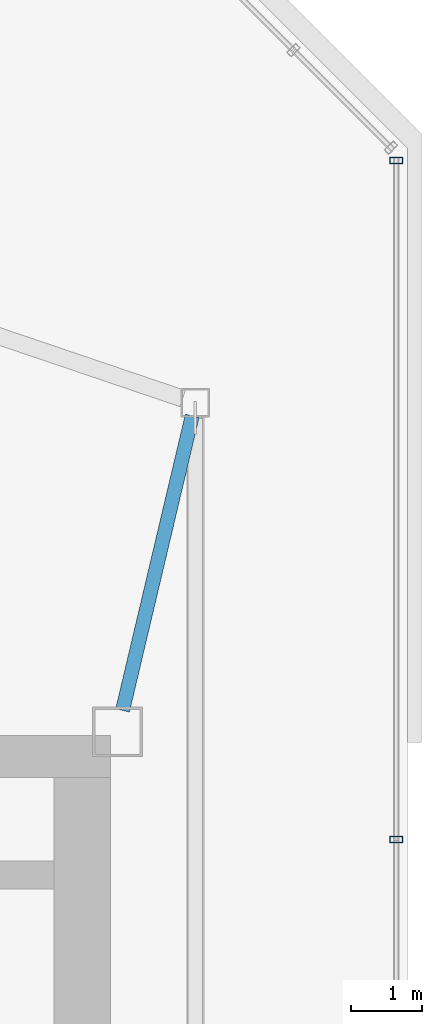
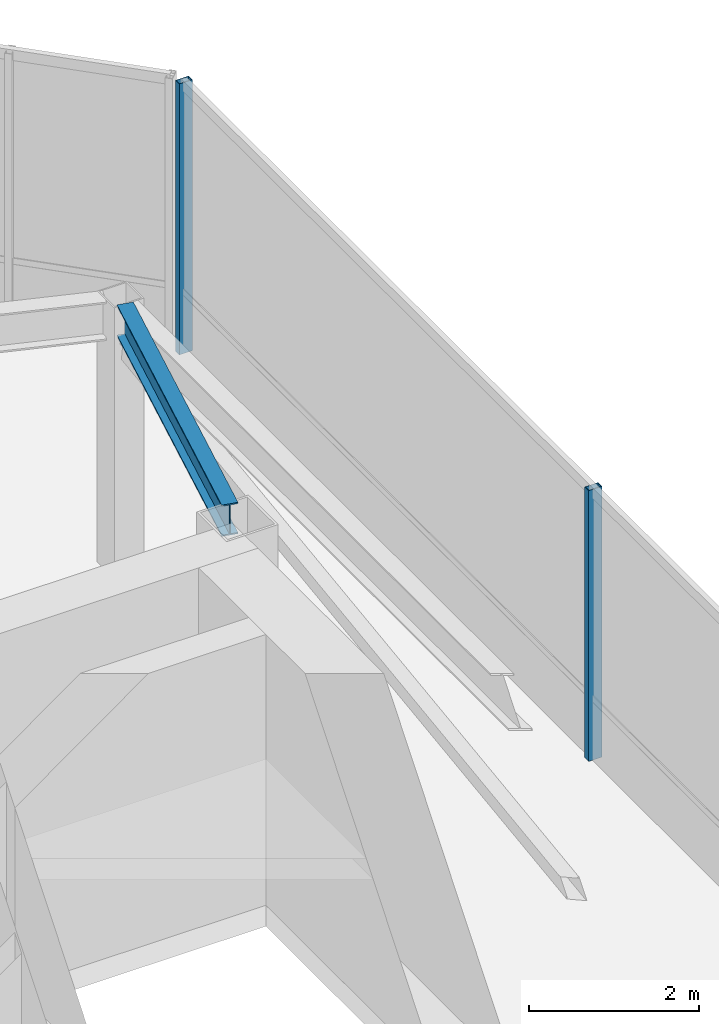
# One storey, part 13 of 22: 2 members, 1 beam, 1 element without a shape of its own.
"""IFC4 building model written with IfcOpenShell, lengths in metres."""

from ifc_helpers import new_model, si_unit, direction, frame, origin, origin_2d, place, context, subcontext, project, spatial, hollow_rectangle, i_section, extrude, material, layer, layer_set, material_profile, profile_set, type_object, element, aggregate, save


model = new_model("IFC4")

# Units and contexts
model_context = context("Model", 3, precision=1e-05, world=origin(), true_north=direction((0.0, 1.0)))
body_context = subcontext(model_context, "Body", "Model", "MODEL_VIEW")
ifc_project = project(units=[si_unit("LENGTHUNIT", "METRE"), si_unit("AREAUNIT", "SQUARE_METRE"), si_unit("VOLUMEUNIT", "CUBIC_METRE"), si_unit("PLANEANGLEUNIT", "RADIAN"), si_unit("MASSUNIT", "GRAM", prefix="KILO")], contexts=[model_context])

# Site, building, storey
site_placement = place(None, origin())
site = spatial("IfcSite", under=ifc_project, at=site_placement, CompositionType="ELEMENT")
building_placement = place(site_placement, origin())
building = spatial("IfcBuilding", under=site, at=building_placement, Name="Tavrogorsk Clinical Tower", CompositionType="ELEMENT")
storey_placement = place(building_placement, frame((0.0, 0.0, 352.800048828125)))
storey = spatial("IfcBuildingStorey", under=building, at=storey_placement, Name="L82", CompositionType="ELEMENT", Elevation=352.800048828125)

# Curtain wall, members
ifc_material_1 = material(Name="Anodised aluminium and triple IGU glazing", Category="aluminium")
ifc_layer = layer(ifc_material_1, 0.179931640625)
ifc_layer_set = layer_set([ifc_layer], Name="Anodised aluminium and triple IGU glazing")
curtain_wall_type = type_object("IfcCurtainWallType", Name="CW5_SkyLobby", PredefinedType="NOTDEFINED", material=ifc_layer_set)
curtain_wall_placement = place(storey_placement, origin())
curtain_wall = element("IfcCurtainWall", 1, at=curtain_wall_placement, inside=storey, type_object=curtain_wall_type, Name="L82 Curtain Wall CW-L82-DRUM-6", PredefinedType="NOTDEFINED")
ifc_material_2 = material(Name="Anodised aluminium alloy AW-6060", Category="aluminium")
ifc_material_profile_1 = material_profile(ifc_material_2, hollow_rectangle(XDim=0.090087890625, YDim=0.179931640625, WallThickness=0.00634765625, at=origin_2d()), Name="RHS-180x90x6.3")
ifc_profile_set_1 = profile_set([ifc_material_profile_1], Name="Anodised aluminium alloy AW-6060")
member_type = type_object("IfcMemberType", Name="CwMullion_180x90", PredefinedType="MULLION", material=ifc_profile_set_1)
member_1_placement = place(storey_placement, frame((26.0400390625, 14.4287109375, 0.0), z_axis=(0.0, 0.0, 1.0), x_axis=(0.0, -1.0, 0.0)))
member_1 = element("IfcMember", 2, at=member_1_placement, type_object=member_type, Name="CW-L82-DRUM-6 Mullion 1", PredefinedType="MULLION", context=body_context, shape_type="SweptSolid", body=[
    extrude(hollow_rectangle(XDim=0.090087890625, YDim=0.179931640625, WallThickness=0.00634765625, at=origin_2d()), origin(), (0.0, 0.0, 1.0), 3.8798828125),
])
member_2_placement = place(storey_placement, frame((26.0400390625, 4.824462890625, 0.0), z_axis=(0.0, 0.0, 1.0), x_axis=(0.0, -1.0, 0.0)))
member_2 = element("IfcMember", 3, at=member_2_placement, type_object=member_type, Name="CW-L82-DRUM-6 Mullion 2", PredefinedType="MULLION", context=body_context, shape_type="SweptSolid", body=[
    extrude(hollow_rectangle(XDim=0.090087890625, YDim=0.179931640625, WallThickness=0.00634765625, at=origin_2d()), origin(), (0.0, 0.0, 1.0), 3.8798828125),
])
aggregate(curtain_wall, [member_1, member_2])

# Beam
ifc_material_3 = material(Name="Structural steel S355", Category="steel")
ifc_material_profile_2 = material_profile(ifc_material_3, i_section(OverallWidth=0.199951171875, OverallDepth=0.449951171875, WebThickness=0.011474609375, FlangeThickness=0.01806640625, at=origin_2d()), Name="B-450x200x11.5x18")
ifc_profile_set_2 = profile_set([ifc_material_profile_2], Name="Structural steel S355")
beam_type = type_object("IfcBeamType", Name="FloorBeam_B450", PredefinedType="BEAM", material=ifc_profile_set_2)
beam_placement = place(storey_placement, frame((22.17138671875, 6.651611328125, 3.655029296875), z_axis=(0.230190528398, 0.973145580392, 0.0), x_axis=(-0.973145580392, 0.230190528398, 0.0)))
element("IfcBeam", 4, at=beam_placement, inside=storey, type_object=beam_type, Name="L82 Crown Radial Beam 05", PredefinedType="BEAM", context=body_context, shape_type="SweptSolid", body=[
    extrude(i_section(OverallWidth=0.199951171875, OverallDepth=0.449951171875, WebThickness=0.011474609375, FlangeThickness=0.01806640625, at=origin_2d()), origin(), (0.0, 0.0, 1.0), 4.278564453125),
])

save(model, "model.ifc")
